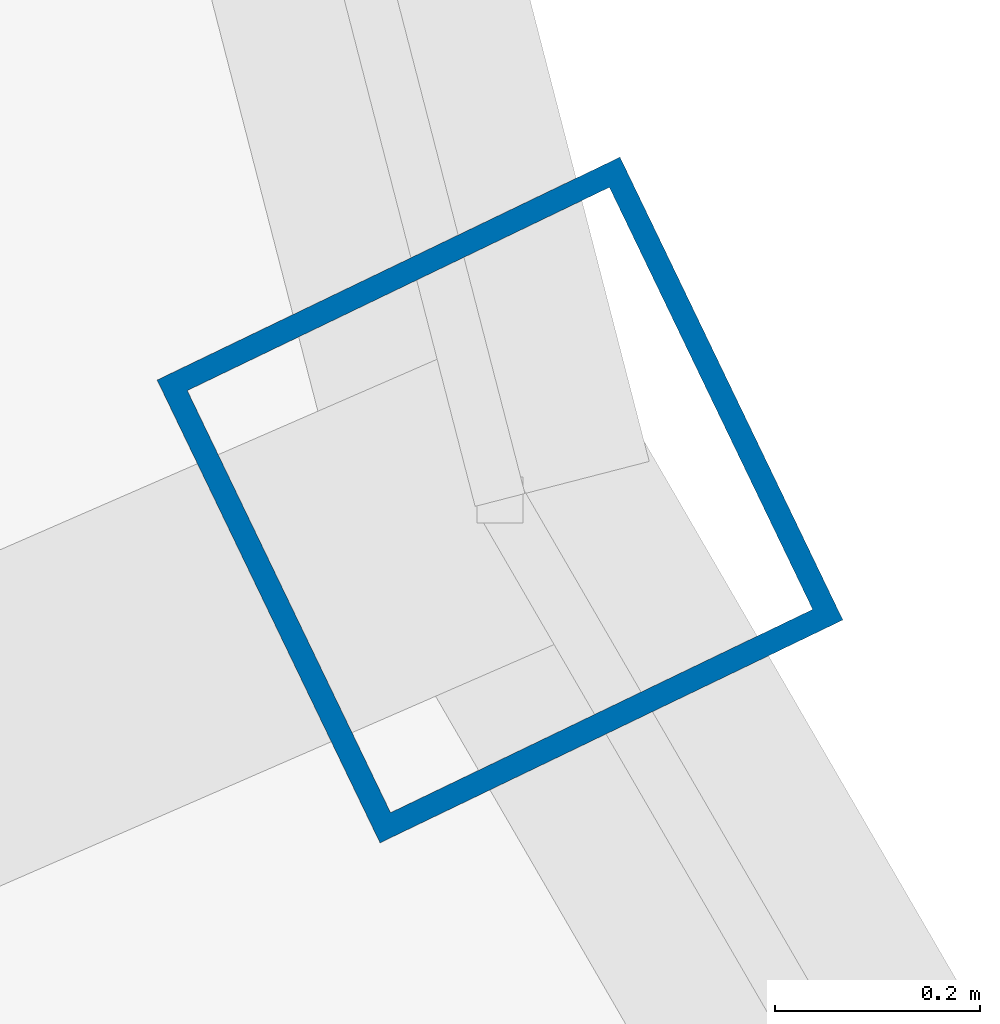
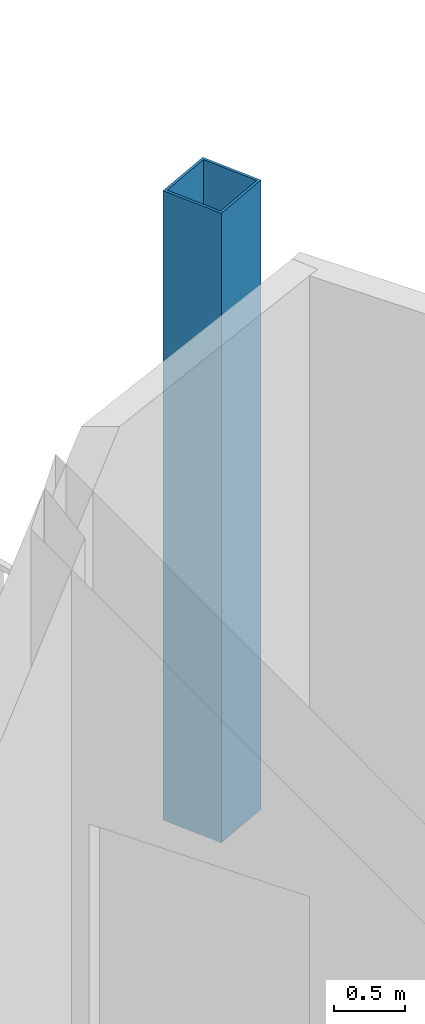
# One storey, part 2 of 103: 1 column.
"""IFC4 building model written with IfcOpenShell, lengths in metres."""

from ifc_helpers import new_model, si_unit, direction, frame, origin, origin_2d, place, context, subcontext, project, spatial, hollow_rectangle, extrude, material, material_profile, profile_set, type_object, element, save


model = new_model("IFC4")

# Units and contexts
model_context = context("Model", 3, precision=1e-05, world=origin(), true_north=direction((0.0, 1.0)))
body_context = subcontext(model_context, "Body", "Model", "MODEL_VIEW")
ifc_project = project(units=[si_unit("LENGTHUNIT", "METRE"), si_unit("AREAUNIT", "SQUARE_METRE"), si_unit("VOLUMEUNIT", "CUBIC_METRE"), si_unit("PLANEANGLEUNIT", "RADIAN"), si_unit("MASSUNIT", "GRAM", prefix="KILO")], contexts=[model_context])

# Site, building, storey
site_placement = place(None, origin())
site = spatial("IfcSite", under=ifc_project, at=site_placement, CompositionType="ELEMENT")
building_placement = place(site_placement, origin())
building = spatial("IfcBuilding", under=site, at=building_placement, Name="Kazemori Nagisa Stadium", CompositionType="ELEMENT")
storey_placement = place(building_placement, frame((0.0, 0.0, 25.840087890625)))
storey = spatial("IfcBuildingStorey", under=building, at=storey_placement, Name="L05", CompositionType="ELEMENT", Elevation=25.840087890625)

# Column
ifc_material = material(Name="Steel STKR490", Category="steel")
ifc_material_profile = material_profile(ifc_material, hollow_rectangle(XDim=0.5, YDim=0.5, WallThickness=0.02197265625, at=origin_2d()), Name="SHS-500x500x22")
ifc_profile_set = profile_set([ifc_material_profile], Name="Steel STKR490")
column_type = type_object("IfcColumnType", Name="Column_C-ST500", PredefinedType="COLUMN", material=ifc_profile_set)
column_placement = place(storey_placement, frame((46.55908203125, 68.67529296875, 0.0), z_axis=(0.0, 0.0, 1.0), x_axis=(-0.900968867905, -0.433883739113, 0.0)))
element("IfcColumn", 1, at=column_placement, inside=storey, type_object=column_type, Name="Column C-ST500 L05 R2-17", PredefinedType="COLUMN", context=body_context, shape_type="SweptSolid", body=[
    extrude(hollow_rectangle(XDim=0.5, YDim=0.5, WallThickness=0.02197265625, at=origin_2d()), origin(), (0.0, 0.0, 1.0), 5.43994140625),
])

save(model, "model.ifc")
